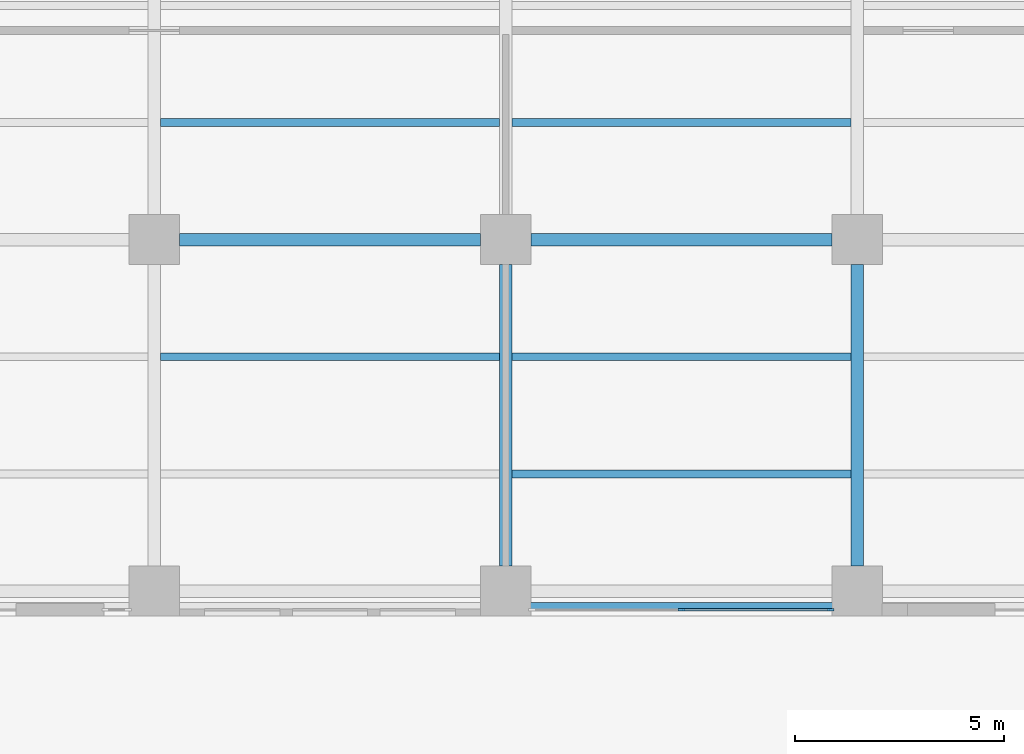
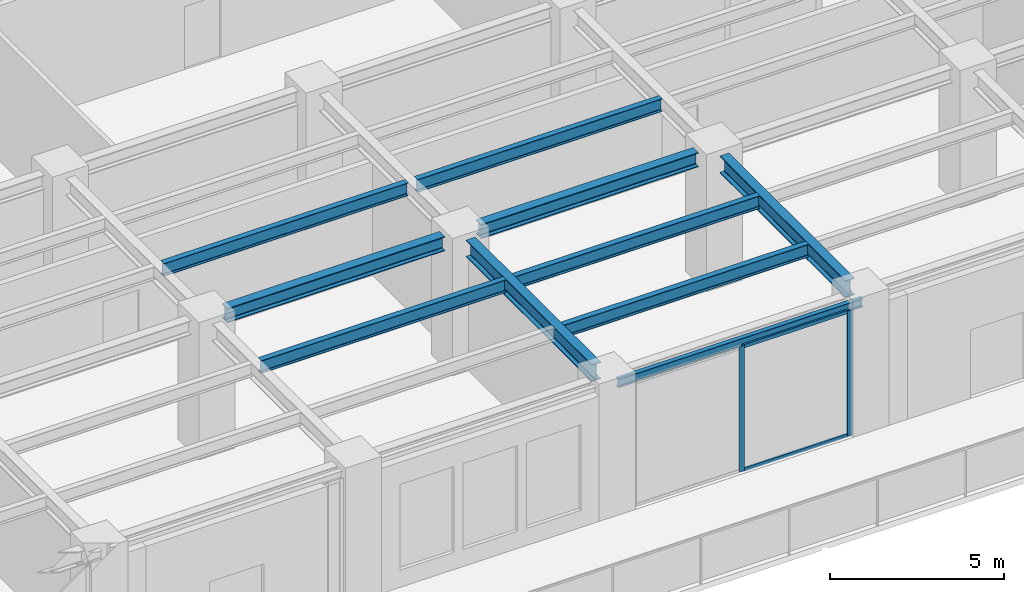
# One storey, part 5 of 53: 10 beams, 4 members, 1 element without a shape of its own.
"""IFC4 building model written with IfcOpenShell, lengths in metres."""

from ifc_helpers import new_model, si_unit, direction, frame, origin, origin_2d, place, context, subcontext, project, spatial, rectangle, i_section, extrude, material, material_profile, profile_set, type_object, element, aggregate, save


model = new_model("IFC4")

# Units and contexts
model_context = context("Model", 3, precision=1e-05, world=origin(), true_north=direction((0.0, 1.0)))
body_context = subcontext(model_context, "Body", "Model", "MODEL_VIEW")
ifc_project = project(units=[si_unit("LENGTHUNIT", "METRE"), si_unit("AREAUNIT", "SQUARE_METRE"), si_unit("VOLUMEUNIT", "CUBIC_METRE"), si_unit("PLANEANGLEUNIT", "RADIAN"), si_unit("MASSUNIT", "GRAM", prefix="KILO")], contexts=[model_context])

# Site, building, storey
site_placement = place(None, origin())
site = spatial("IfcSite", under=ifc_project, at=site_placement, CompositionType="ELEMENT")
building_placement = place(site_placement, origin())
building = spatial("IfcBuilding", under=site, at=building_placement, Name="Khepri Terraces", CompositionType="ELEMENT")
storey_placement = place(building_placement, frame((0.0, 0.0, 7.199951171875)))
storey = spatial("IfcBuildingStorey", under=building, at=storey_placement, Name="L01", CompositionType="ELEMENT", Elevation=7.199951171875)

# Curtain wall, members
ifc_material_1 = material(Name="Anodised aluminium bronze curtain wall", Category="aluminium")
curtain_wall_type = type_object("IfcCurtainWallType", Name="CW-SYS2-PODIUM", PredefinedType="NOTDEFINED", material=ifc_material_1)
curtain_wall_placement = place(storey_placement, origin())
curtain_wall = element("IfcCurtainWall", 1, at=curtain_wall_placement, inside=storey, type_object=curtain_wall_type, Name="Curtain wall CW2 L01 S", PredefinedType="NOTDEFINED")
ifc_material_2 = material(Name="Anodised aluminium bronze", Category="aluminium")
ifc_material_profile_1 = material_profile(ifc_material_2, rectangle(XDim=0.06005859375, YDim=0.159912109375, at=origin_2d()), Name="Anodised aluminium bronze", Category="aluminium")
ifc_profile_set_1 = profile_set([ifc_material_profile_1], Name="Anodised aluminium bronze")
member_type_1 = type_object("IfcMemberType", Name="CW-MULLION-60x160", PredefinedType="MULLION", material=ifc_profile_set_1)
member_1_placement = place(storey_placement, frame((12.60009765625, -42.449951171875, 0.0), z_axis=(0.0, 0.0, 1.0), x_axis=(0.0, 1.0, 0.0)))
member_1 = element("IfcMember", 2, at=member_1_placement, type_object=member_type_1, Name="CW2 mullion 2", PredefinedType="MULLION", context=body_context, shape_type="SweptSolid", body=[
    extrude(rectangle(XDim=0.06005859375, YDim=0.159912109375, at=origin_2d()), origin(), (0.0, 0.0, 1.0), 4.380126953125),
])
member_2_placement = place(storey_placement, frame((16.169921875, -42.449951171875, 0.0), z_axis=(0.0, 0.0, 1.0), x_axis=(0.0, 1.0, 0.0)))
member_2 = element("IfcMember", 3, at=member_2_placement, type_object=member_type_1, Name="CW2 mullion 3", PredefinedType="MULLION", context=body_context, shape_type="SweptSolid", body=[
    extrude(rectangle(XDim=0.06005859375, YDim=0.159912109375, at=origin_2d()), origin(), (0.0, 0.0, 1.0), 4.380126953125),
])
ifc_material_profile_2 = material_profile(ifc_material_2, rectangle(XDim=0.06005859375, YDim=0.1201171875, at=origin_2d()), Name="Anodised aluminium bronze", Category="aluminium")
ifc_profile_set_2 = profile_set([ifc_material_profile_2], Name="Anodised aluminium bronze")
member_type_2 = type_object("IfcMemberType", Name="CW-TRANSOM-60x120", PredefinedType="USERDEFINED", material=ifc_profile_set_2)
member_3_placement = place(storey_placement, frame((12.6298828125, -42.449951171875, 0.030029296875), z_axis=(1.0, 0.0, 0.0), x_axis=(0.0, 1.0, 0.0)))
member_3 = element("IfcMember", 4, at=member_3_placement, type_object=member_type_2, Name="CW2 transom 2.1", ObjectType="TRANSOM", PredefinedType="USERDEFINED", context=body_context, shape_type="SweptSolid", body=[
    extrude(rectangle(XDim=0.06005859375, YDim=0.1201171875, at=origin_2d()), origin(), (0.0, 0.0, 1.0), 3.510009765625),
])
member_4_placement = place(storey_placement, frame((12.6298828125, -42.449951171875, 4.35009765625), z_axis=(1.0, 0.0, 0.0), x_axis=(0.0, 1.0, 0.0)))
member_4 = element("IfcMember", 5, at=member_4_placement, type_object=member_type_2, Name="CW2 transom 2.2", ObjectType="TRANSOM", PredefinedType="USERDEFINED", context=body_context, shape_type="SweptSolid", body=[
    extrude(rectangle(XDim=0.06005859375, YDim=0.1201171875, at=origin_2d()), origin(), (0.0, 0.0, 1.0), 3.510009765625),
])
aggregate(curtain_wall, [member_1, member_2, member_3, member_4])

# Beams
ifc_material_3 = material(Name="Steel S355", Category="steel")
ifc_material_profile_3 = material_profile(ifc_material_3, i_section(OverallWidth=0.14990234375, OverallDepth=0.300048828125, WebThickness=0.007080078125, FlangeThickness=0.0107421875, FilletRadius=0.014892578125, at=origin_2d()), Name="Steel S355", Category="steel")
ifc_profile_set_3 = profile_set([ifc_material_profile_3], Name="Steel S355")
beam_type_1 = type_object("IfcBeamType", Name="Podium edge beam L02 IPE 300", PredefinedType="SPANDREL", material=ifc_profile_set_3)
beam_1_placement = place(storey_placement, frame((8.550048828125, -42.35009765625, 4.449951171875), z_axis=(1.0, 0.0, 0.0), x_axis=(0.0, 1.0, 0.0)))
element("IfcBeam", 6, at=beam_1_placement, inside=storey, type_object=beam_type_1, Name="Podium edge beam L02 007", PredefinedType="SPANDREL", context=body_context, shape_type="SweptSolid", body=[
    extrude(i_section(OverallWidth=0.14990234375, OverallDepth=0.300048828125, WebThickness=0.007080078125, FlangeThickness=0.0107421875, FilletRadius=0.014892578125, at=origin_2d()), origin(), (0.0, 0.0, 1.0), 8.099853515625),
])
ifc_material_profile_4 = material_profile(ifc_material_3, i_section(OverallWidth=0.300048828125, OverallDepth=0.60009765625, WebThickness=0.015380859375, FlangeThickness=0.030029296875, FilletRadius=0.027099609375, at=origin_2d()), Name="Steel S355", Category="steel")
ifc_profile_set_4 = profile_set([ifc_material_profile_4], Name="Steel S355")
beam_type_2 = type_object("IfcBeamType", Name="Podium girder L02 HEB 600", PredefinedType="BEAM", material=ifc_profile_set_4)
for number, where, z_axis, x_axis, name in (
    (7, (8.39990234375, -41.39990234375, 4.300048828125), (0.0, 1.0, 0.0), (-1.0, 0.0, 0.0), "Podium girder L02 041"),
    (8, (16.800048828125, -41.39990234375, 4.300048828125), (0.0, 1.0, 0.0), (-1.0, 0.0, 0.0), "Podium girder L02 045"),
):
    element("IfcBeam", number, at=place(storey_placement, frame(where, z_axis=z_axis, x_axis=x_axis)), inside=storey, type_object=beam_type_2, Name=name, PredefinedType="BEAM", context=body_context, shape_type="SweptSolid", body=[
        extrude(i_section(OverallWidth=0.300048828125, OverallDepth=0.60009765625, WebThickness=0.015380859375, FlangeThickness=0.030029296875, FilletRadius=0.027099609375, at=origin_2d()), origin(), (0.0, 0.0, 1.0), 7.199951171875),
    ])
ifc_material_profile_5 = material_profile(ifc_material_3, i_section(OverallWidth=0.300048828125, OverallDepth=0.5, WebThickness=0.014404296875, FlangeThickness=0.028076171875, FilletRadius=0.027099609375, at=origin_2d()), Name="Steel S355", Category="steel")
ifc_profile_set_5 = profile_set([ifc_material_profile_5], Name="Steel S355")
beam_type_3 = type_object("IfcBeamType", Name="Podium girder L02 grid line HEB 500", PredefinedType="BEAM", material=ifc_profile_set_5)
for number, where, z_axis, x_axis, name in (
    (9, (0.60009765625, -33.60009765625, 4.35009765625), (1.0, 0.0, 0.0), (0.0, 1.0, 0.0), "Podium grid-line girder L02 036"),
    (10, (9.0, -33.60009765625, 4.35009765625), (1.0, 0.0, 0.0), (0.0, 1.0, 0.0), "Podium grid-line girder L02 037"),
):
    element("IfcBeam", number, at=place(storey_placement, frame(where, z_axis=z_axis, x_axis=x_axis)), inside=storey, type_object=beam_type_3, Name=name, PredefinedType="BEAM", context=body_context, shape_type="SweptSolid", body=[
        extrude(i_section(OverallWidth=0.300048828125, OverallDepth=0.5, WebThickness=0.014404296875, FlangeThickness=0.028076171875, FilletRadius=0.027099609375, at=origin_2d()), origin(), (0.0, 0.0, 1.0), 7.199951171875),
    ])
ifc_material_profile_6 = material_profile(ifc_material_3, i_section(OverallWidth=0.18994140625, OverallDepth=0.449951171875, WebThickness=0.009521484375, FlangeThickness=0.0146484375, FilletRadius=0.02099609375, at=origin_2d()), Name="Steel S355", Category="steel")
ifc_profile_set_6 = profile_set([ifc_material_profile_6], Name="Steel S355")
beam_type_4 = type_object("IfcBeamType", Name="Podium joist L02 IPE 450", PredefinedType="JOIST", material=ifc_profile_set_6)
beam_2_placement = place(storey_placement, frame((8.550048828125, -39.199951171875, 4.375), z_axis=(1.0, 0.0, 0.0), x_axis=(0.0, 1.0, 0.0)))
element("IfcBeam", 11, at=beam_2_placement, inside=storey, type_object=beam_type_4, Name="Podium joist L02 017", PredefinedType="JOIST", context=body_context, shape_type="SweptSolid", body=[
    extrude(i_section(OverallWidth=0.18994140625, OverallDepth=0.449951171875, WebThickness=0.009521484375, FlangeThickness=0.0146484375, FilletRadius=0.02099609375, at=origin_2d()), origin(), (0.0, 0.0, 1.0), 8.099853515625),
])
beam_3_placement = place(storey_placement, frame((0.14990234375, -36.39990234375, 4.375), z_axis=(1.0, 0.0, 0.0), x_axis=(0.0, 1.0, 0.0)))
element("IfcBeam", 12, at=beam_3_placement, inside=storey, type_object=beam_type_4, Name="Podium joist L02 026", PredefinedType="JOIST", context=body_context, shape_type="SweptSolid", body=[
    extrude(i_section(OverallWidth=0.18994140625, OverallDepth=0.449951171875, WebThickness=0.009521484375, FlangeThickness=0.0146484375, FilletRadius=0.02099609375, at=origin_2d()), origin(), (0.0, 0.0, 1.0), 8.10009765625),
])
beam_4_placement = place(storey_placement, frame((8.550048828125, -36.39990234375, 4.375), z_axis=(1.0, 0.0, 0.0), x_axis=(0.0, 1.0, 0.0)))
element("IfcBeam", 13, at=beam_4_placement, inside=storey, type_object=beam_type_4, Name="Podium joist L02 027", PredefinedType="JOIST", context=body_context, shape_type="SweptSolid", body=[
    extrude(i_section(OverallWidth=0.18994140625, OverallDepth=0.449951171875, WebThickness=0.009521484375, FlangeThickness=0.0146484375, FilletRadius=0.02099609375, at=origin_2d()), origin(), (0.0, 0.0, 1.0), 8.099853515625),
])
beam_5_placement = place(storey_placement, frame((0.14990234375, -30.800048828125, 4.375), z_axis=(1.0, 0.0, 0.0), x_axis=(0.0, 1.0, 0.0)))
element("IfcBeam", 14, at=beam_5_placement, inside=storey, type_object=beam_type_4, Name="Podium joist L02 046", PredefinedType="JOIST", context=body_context, shape_type="SweptSolid", body=[
    extrude(i_section(OverallWidth=0.18994140625, OverallDepth=0.449951171875, WebThickness=0.009521484375, FlangeThickness=0.0146484375, FilletRadius=0.02099609375, at=origin_2d()), origin(), (0.0, 0.0, 1.0), 8.10009765625),
])
beam_6_placement = place(storey_placement, frame((8.550048828125, -30.800048828125, 4.375), z_axis=(1.0, 0.0, 0.0), x_axis=(0.0, 1.0, 0.0)))
element("IfcBeam", 15, at=beam_6_placement, inside=storey, type_object=beam_type_4, Name="Podium joist L02 047", PredefinedType="JOIST", context=body_context, shape_type="SweptSolid", body=[
    extrude(i_section(OverallWidth=0.18994140625, OverallDepth=0.449951171875, WebThickness=0.009521484375, FlangeThickness=0.0146484375, FilletRadius=0.02099609375, at=origin_2d()), origin(), (0.0, 0.0, 1.0), 8.099853515625),
])

save(model, "model.ifc")
